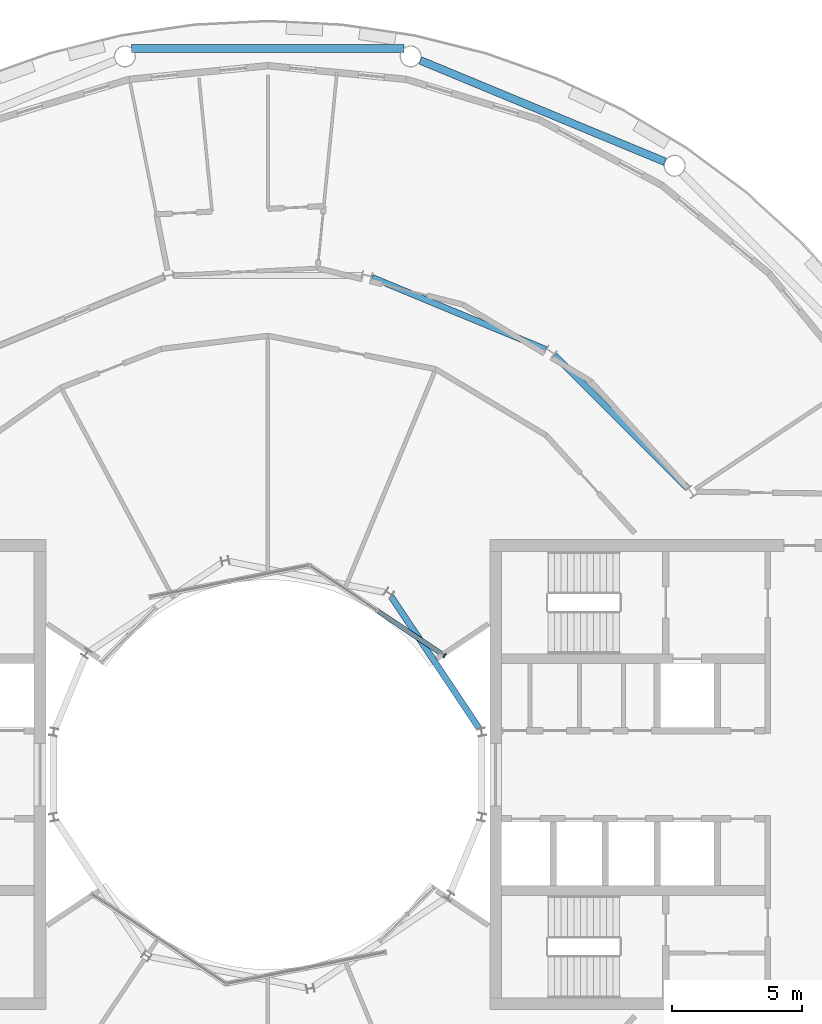
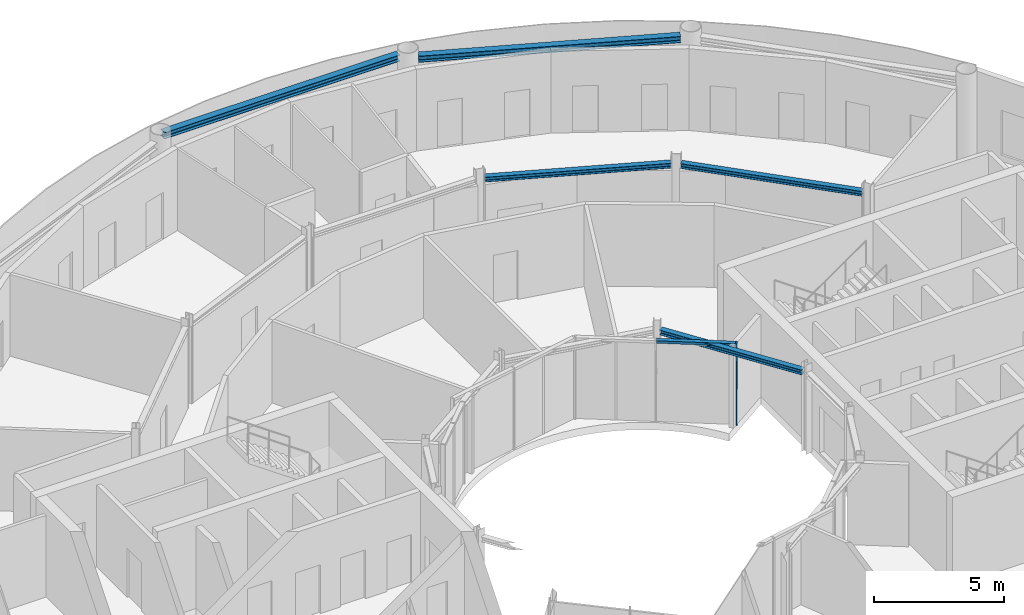
# One storey, part 10 of 22: 5 beams, 2 members, 1 element without a shape of its own.
"""IFC4 building model written with IfcOpenShell, lengths in metres."""

from ifc_helpers import new_model, si_unit, direction, frame, origin, origin_2d, place, context, subcontext, project, spatial, rectangle, i_section, extrude, material, layer, layer_set, material_profile, profile_set, type_object, element, aggregate, save


model = new_model("IFC4")

# Units and contexts
model_context = context("Model", 3, precision=1e-05, world=origin(), true_north=direction((0.0, 1.0)))
body_context = subcontext(model_context, "Body", "Model", "MODEL_VIEW")
ifc_project = project(units=[si_unit("LENGTHUNIT", "METRE"), si_unit("AREAUNIT", "SQUARE_METRE"), si_unit("VOLUMEUNIT", "CUBIC_METRE"), si_unit("PLANEANGLEUNIT", "RADIAN"), si_unit("MASSUNIT", "GRAM", prefix="KILO")], contexts=[model_context])

# Site, building, storey
site_placement = place(None, origin())
site = spatial("IfcSite", under=ifc_project, at=site_placement, CompositionType="ELEMENT")
building_placement = place(site_placement, origin())
building = spatial("IfcBuilding", under=site, at=building_placement, Name="Maasbend Ring Residences", CompositionType="ELEMENT")
storey_placement = place(building_placement, frame((0.0, 0.0, 208.5)))
storey = spatial("IfcBuildingStorey", under=building, at=storey_placement, Name="L60", CompositionType="ELEMENT", Elevation=208.5)

# Curtain wall, members
ifc_material_1 = material(Name="Aluminium and clear glass", Category="aluminium")
ifc_layer = layer(ifc_material_1, 0.179931640625)
ifc_layer_set = layer_set([ifc_layer], Name="CW-W")
curtain_wall_type = type_object("IfcCurtainWallType", Name="CW-W", PredefinedType="NOTDEFINED", material=ifc_layer_set)
curtain_wall_placement = place(storey_placement, origin())
curtain_wall = element("IfcCurtainWall", 1, at=curtain_wall_placement, inside=storey, type_object=curtain_wall_type, Name="Well curtain wall N1", PredefinedType="NOTDEFINED")
ifc_material_2 = material(Name="Aluminium 6063-T6", Category="aluminium")
ifc_material_profile_1 = material_profile(ifc_material_2, rectangle(XDim=0.179931640625, YDim=0.06005859375, at=origin_2d()), Name="AL 180x60")
ifc_profile_set_1 = profile_set([ifc_material_profile_1], Name="Aluminium 6063-T6")
member_type_1 = type_object("IfcMemberType", Name="CWM-W", PredefinedType="MULLION", material=ifc_profile_set_1)
member_1_placement = place(storey_placement, frame((6.805908203125, 4.580810546875, 0.0), z_axis=(0.0, 0.0, 1.0), x_axis=(-0.55557023302, -0.831469612303, 0.0)))
member_1 = element("IfcMember", 2, at=member_1_placement, type_object=member_type_1, Name="Mullion well face", PredefinedType="MULLION", context=body_context, shape_type="SweptSolid", body=[
    extrude(rectangle(XDim=0.179931640625, YDim=0.06005859375, at=origin_2d()), origin(), (0.0, 0.0, 1.0), 3.85009765625),
])
ifc_material_3 = material(Name="Aluminium 6063-T6", Category="aluminium")
ifc_material_profile_2 = material_profile(ifc_material_3, rectangle(XDim=0.179931640625, YDim=0.1201171875, at=origin_2d()), Name="AL 180x120")
ifc_profile_set_2 = profile_set([ifc_material_profile_2], Name="Aluminium 6063-T6")
member_type_2 = type_object("IfcMemberType", Name="CWT-W", PredefinedType="USERDEFINED", material=ifc_profile_set_2)
member_2_placement = place(storey_placement, frame((6.781005859375, 4.59765625, 3.7900390625), z_axis=(-0.831496422459, 0.555530106689, 0.0), x_axis=(-0.555530106689, -0.831496422459, 0.0)))
member_2 = element("IfcMember", 3, at=member_2_placement, type_object=member_type_2, Name="Transom well face", ObjectType="TRANSOM", PredefinedType="USERDEFINED", context=body_context, shape_type="SweptSolid", body=[
    extrude(rectangle(XDim=0.179931640625, YDim=0.1201171875, at=origin_2d()), origin(), (0.0, 0.0, 1.0), 3.053955078125),
])
aggregate(curtain_wall, [member_1, member_2])

# Beams
ifc_material_4 = material(Name="Steel S355J2", Category="steel")
ifc_material_profile_3 = material_profile(ifc_material_4, i_section(OverallWidth=0.239990234375, OverallDepth=0.22998046875, WebThickness=0.007568359375, FlangeThickness=0.011962890625, FilletRadius=0.02099609375, at=origin_2d()), Name="HEA 240")
ifc_profile_set_3 = profile_set([ifc_material_profile_3], Name="Steel S355J2")
beam_type_1 = type_object("IfcBeamType", Name="Corridor ring beam HEA 240", PredefinedType="BEAM", material=ifc_profile_set_3)
beam_1_placement = place(storey_placement, frame((16.152587890625, 11.033447265625, 3.735107421875), z_axis=(-0.707106781187, 0.707106781187, 0.0), x_axis=(-0.707106781187, -0.707106781187, 0.0)))
element("IfcBeam", 4, at=beam_1_placement, inside=storey, type_object=beam_type_1, Name="Corridor ring beam", PredefinedType="BEAM", context=body_context, shape_type="SweptSolid", body=[
    extrude(i_section(OverallWidth=0.239990234375, OverallDepth=0.22998046875, WebThickness=0.007568359375, FlangeThickness=0.011962890625, FilletRadius=0.02099609375, at=origin_2d()), origin(), (0.0, 0.0, 1.0), 7.239501953125),
])
beam_2_placement = place(storey_placement, frame((10.70068359375, 16.374755859375, 3.735107421875), z_axis=(-0.923865162022, 0.382718123952, 0.0), x_axis=(-0.382718123952, -0.923865162022, 0.0)))
element("IfcBeam", 5, at=beam_2_placement, inside=storey, type_object=beam_type_1, Name="Corridor ring beam", PredefinedType="BEAM", context=body_context, shape_type="SweptSolid", body=[
    extrude(i_section(OverallWidth=0.239990234375, OverallDepth=0.22998046875, WebThickness=0.007568359375, FlangeThickness=0.011962890625, FilletRadius=0.02099609375, at=origin_2d()), origin(), (0.0, 0.0, 1.0), 7.23974609375),
])
ifc_material_5 = material(Name="Steel S355J2", Category="steel")
ifc_material_profile_4 = material_profile(ifc_material_5, i_section(OverallWidth=0.300048828125, OverallDepth=0.300048828125, WebThickness=0.010986328125, FlangeThickness=0.01904296875, FilletRadius=0.027099609375, at=origin_2d()), Name="HEB 300")
ifc_profile_set_4 = profile_set([ifc_material_profile_4], Name="Steel S355J2")
beam_type_2 = type_object("IfcBeamType", Name="Spandrel ring beam HEB 300", PredefinedType="SPANDREL", material=ifc_profile_set_4)
beam_3_placement = place(storey_placement, frame((15.29150390625, 23.60302734375, 3.699951171875), z_axis=(-0.923883676188, 0.382673428492, 0.0), x_axis=(-0.382673428492, -0.923883676188, 0.0)))
element("IfcBeam", 6, at=beam_3_placement, inside=storey, type_object=beam_type_2, Name="Spandrel ring beam", PredefinedType="SPANDREL", context=body_context, shape_type="SweptSolid", body=[
    extrude(i_section(OverallWidth=0.300048828125, OverallDepth=0.300048828125, WebThickness=0.010986328125, FlangeThickness=0.01904296875, FilletRadius=0.027099609375, at=origin_2d()), origin(), (0.0, 0.0, 1.0), 10.18994140625),
])
beam_4_placement = place(storey_placement, frame((5.2451171875, 27.9580078125, 3.699951171875), z_axis=(-1.0, 0.0, 0.0), x_axis=(0.0, -1.0, 0.0)))
element("IfcBeam", 7, at=beam_4_placement, inside=storey, type_object=beam_type_2, Name="Spandrel ring beam", PredefinedType="SPANDREL", context=body_context, shape_type="SweptSolid", body=[
    extrude(i_section(OverallWidth=0.300048828125, OverallDepth=0.300048828125, WebThickness=0.010986328125, FlangeThickness=0.01904296875, FilletRadius=0.027099609375, at=origin_2d()), origin(), (0.0, 0.0, 1.0), 10.490234375),
])
ifc_material_6 = material(Name="Steel S355J2", Category="steel")
ifc_material_profile_5 = material_profile(ifc_material_6, i_section(OverallWidth=0.239990234375, OverallDepth=0.22998046875, WebThickness=0.007568359375, FlangeThickness=0.011962890625, FilletRadius=0.02099609375, at=origin_2d()), Name="HEA 240")
ifc_profile_set_5 = profile_set([ifc_material_profile_5], Name="Steel S355J2")
beam_type_3 = type_object("IfcBeamType", Name="Well edge beam HEA 240", PredefinedType="BEAM", material=ifc_profile_set_5)
beam_5_placement = place(storey_placement, frame((8.1513671875, 1.769287109375, 3.735107421875), z_axis=(-0.555584356119, 0.831460175376, 0.0), x_axis=(-0.831460175376, -0.555584356119, 0.0)))
element("IfcBeam", 8, at=beam_5_placement, inside=storey, type_object=beam_type_3, Name="Well edge beam", PredefinedType="BEAM", context=body_context, shape_type="SweptSolid", body=[
    extrude(i_section(OverallWidth=0.239990234375, OverallDepth=0.22998046875, WebThickness=0.007568359375, FlangeThickness=0.011962890625, FilletRadius=0.02099609375, at=origin_2d()), origin(), (0.0, 0.0, 1.0), 6.115234375),
])

save(model, "model.ifc")
